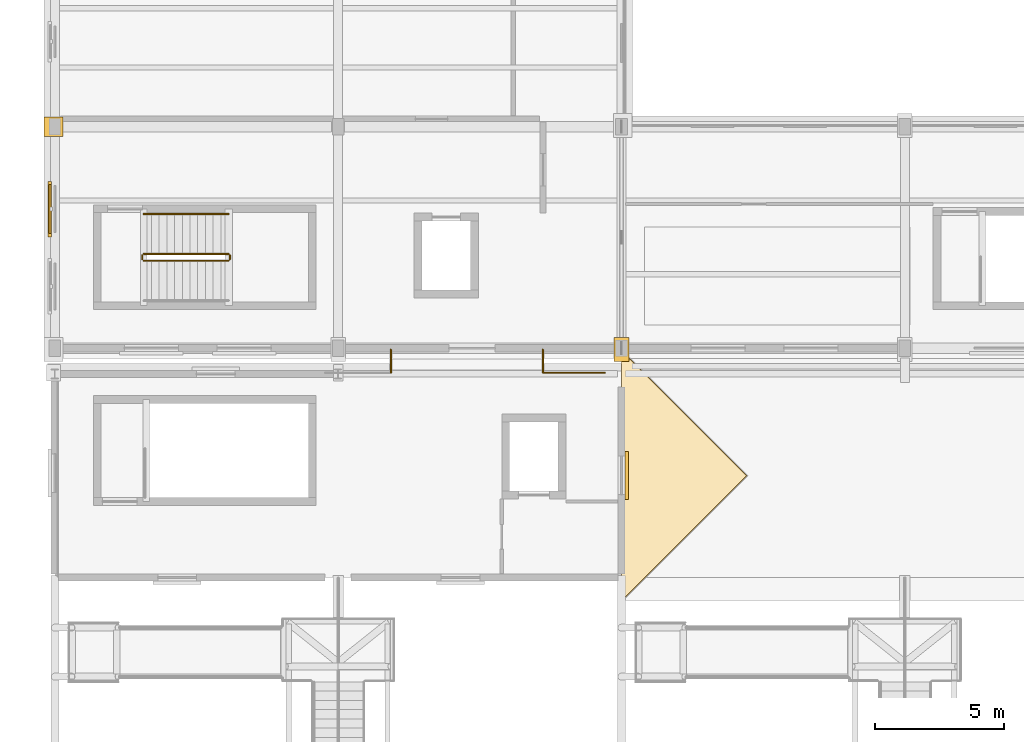
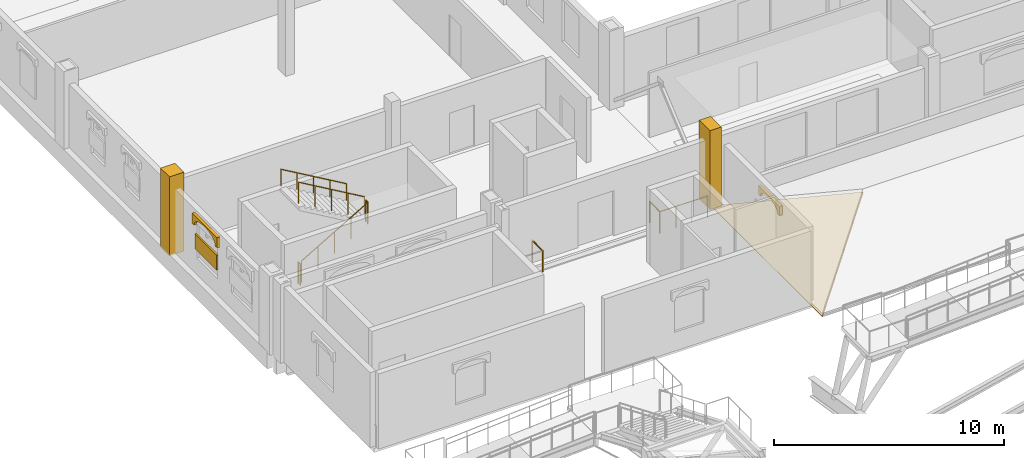
# One storey, part 35 of 43: 8 railings, 5 coverings, 1 shading device.
"""IFC4 building model written with IfcOpenShell, lengths in metres."""

from ifc_helpers import new_model, si_unit, direction, frame, origin, origin_2d, place, context, subcontext, project, spatial, polyline, rectangle, circle, outline, extrude, material, layer, layer_set, type_object, element, save


model = new_model("IFC4")

# Units and contexts
model_context = context("Model", 3, precision=1e-05, world=origin(), true_north=direction((0.0, 1.0)))
body_context = subcontext(model_context, "Body", "Model", "MODEL_VIEW")
ifc_project = project(units=[si_unit("LENGTHUNIT", "METRE"), si_unit("AREAUNIT", "SQUARE_METRE"), si_unit("VOLUMEUNIT", "CUBIC_METRE"), si_unit("PLANEANGLEUNIT", "RADIAN"), si_unit("MASSUNIT", "GRAM", prefix="KILO")], contexts=[model_context])

# Site, building, storey
site_placement = place(None, origin())
site = spatial("IfcSite", under=ifc_project, at=site_placement, CompositionType="ELEMENT")
building_placement = place(site_placement, origin())
building = spatial("IfcBuilding", under=site, at=building_placement, Name="Caurita Quay Ferry Terminal", CompositionType="ELEMENT")
storey_placement = place(building_placement, frame((0.0, 0.0, 14.10009765625)))
storey = spatial("IfcBuildingStorey", under=building, at=storey_placement, Name="L03", CompositionType="ELEMENT", Elevation=14.10009765625)

# Coverings
ifc_material_1 = material(Name="Warm-white lime stucco masonry", Category="masonry")
ifc_layer_1 = layer(ifc_material_1, 0.179931640625, Name="Classical engaged lime-stucco facade pilaster cladding 180 mm")
ifc_layer_set_1 = layer_set([ifc_layer_1], Name="Warm-white lime stucco masonry")
covering_type_1 = type_object("IfcCoveringType", Name="COV-PIL-CLD", PredefinedType="CLADDING", material=ifc_layer_set_1)
covering_1_placement = place(storey_placement, frame((-0.050048828125, 80.199951171875, 0.0), z_axis=(0.0, 0.0, 1.0), x_axis=(1.0, 0.0, 0.0)))
element("IfcCovering", 1, at=covering_1_placement, inside=storey, type_object=covering_type_1, Name="L03 Classical Engaged Pilaster 0274", PredefinedType="CLADDING", context=body_context, shape_type="SweptSolid", body=[
    extrude(rectangle(XDim=0.72998046875, YDim=0.77001953125, at=origin_2d()), origin(), (0.0, 0.0, 1.0), 4.199951171875),
])
covering_2_placement = place(storey_placement, frame((22.0, 71.550048828125, 0.0), z_axis=(0.0, 0.0, 1.0), x_axis=(1.0, 0.0, 0.0)))
element("IfcCovering", 2, at=covering_2_placement, inside=storey, type_object=covering_type_1, Name="L03 Classical Engaged Pilaster 0309", PredefinedType="CLADDING", context=body_context, shape_type="SweptSolid", body=[
    extrude(rectangle(XDim=0.570068359375, YDim=0.929931640625, at=origin_2d()), origin(), (0.0, 0.0, 1.0), 4.199951171875),
])
ifc_material_2 = material(Name="Terracotta clay barrel tile", Category="masonry")
ifc_layer_2 = layer(ifc_material_2, 0.06494140625, Name="Terracotta clay barrel-tile roofing course")
ifc_layer_set_2 = layer_set([ifc_layer_2], Name="Terracotta clay barrel tile")
covering_type_2 = type_object("IfcCoveringType", Name="COV-TEJA-ROOF", PredefinedType="ROOFING", material=ifc_layer_set_2)
covering_3_placement = place(storey_placement, frame((22.0, 71.5, -0.14013671875), z_axis=(-0.377954065566, 0.0, 0.925824348525), x_axis=(0.0, -1.0, 0.0)))
element("IfcCovering", 3, at=covering_3_placement, inside=storey, type_object=covering_type_2, Name="Terracotta Roof Timber Decking V1-SPN-W", PredefinedType="ROOFING", context=body_context, shape_type="SweptSolid", body=[
    extrude(outline(polyline([(0.0, 0.0), (9.699951171875, 0.0), (4.85009765625, 5.238680170786647), (0.0, 0.0)])), origin(), (0.0, 0.0, -1.0), 0.054931640625),
])
ifc_material_3 = material(Name="Coral stone ashlar cladding", Category="masonry")
ifc_layer_3 = layer(ifc_material_3, 0.139892578125, Name="Spanish Colonial semicircular arched window surround 140 mm")
ifc_layer_set_3 = layer_set([ifc_layer_3], Name="Coral stone ashlar cladding")
covering_type_3 = type_object("IfcCoveringType", Name="COV-WHD-MLD", PredefinedType="MOLDING", material=ifc_layer_set_3)
covering_4_placement = place(storey_placement, frame((-0.199951171875, 78.080078125, 2.72998046875), z_axis=(0.0, 0.0, 1.0), x_axis=(0.0, -1.0, 0.0)))
element("IfcCovering", 4, at=covering_4_placement, inside=storey, type_object=covering_type_3, Name="L03 Arched Window Surround 046", PredefinedType="MOLDING", context=body_context, shape_type="SweptSolid", body=[
    extrude(outline(polyline([(0.0, 0.0), (0.159912109375, 0.0), (0.159912109375, 0.0400390625), (0.205078125, 0.1728515625), (0.335693359375, 0.292724609375), (0.539306640625, 0.387939453125), (0.795654296875, 0.448974609375), (1.080078125, 0.469970703125), (1.364501953125, 0.448974609375), (1.620849609375, 0.387939453125), (1.824462890625, 0.292724609375), (1.955078125, 0.1728515625), (2.000244140625, 0.0400390625), (2.000244140625, 0.0), (2.16015625, 0.0), (2.16015625, 0.5498046875), (0.0, 0.5498046875), (0.0, 0.0)])), frame((0.0, 0.06982421875, 0.0), z_axis=(0.0, -1.0, 0.0), x_axis=(1.0, 0.0, 0.0)), (0.0, 0.0, 1.0), 0.139892578125),
])
covering_5_placement = place(storey_placement, frame((22.199951171875, 65.735107421875, 2.77978515625), z_axis=(0.0, 0.0, 1.0), x_axis=(0.0, 1.0, 0.0)))
element("IfcCovering", 5, at=covering_5_placement, inside=storey, type_object=covering_type_3, Name="L03 Arched Window Surround 183", PredefinedType="MOLDING", context=body_context, shape_type="SweptSolid", body=[
    extrude(outline(polyline([(0.0, 0.0), (0.159912109375, 0.0), (0.159912109375, 0.0400390625), (0.19775390625, 0.1513671875), (0.30712890625, 0.251708984375), (0.477294921875, 0.331298828125), (0.69189453125, 0.38232421875), (0.929931640625, 0.39990234375), (1.16796875, 0.38232421875), (1.382568359375, 0.331298828125), (1.552734375, 0.251708984375), (1.662109375, 0.1513671875), (1.699951171875, 0.0400390625), (1.699951171875, 0.0), (1.85986328125, 0.0), (1.85986328125, 0.480224609375), (0.0, 0.480224609375), (0.0, 0.0)])), frame((0.0, 0.06982421875, 0.0), z_axis=(0.0, -1.0, 0.0), x_axis=(1.0, 0.0, 0.0)), (0.0, 0.0, 1.0), 0.139892578125),
])

# Railings
ifc_material_4 = material(Name="Bronze architectural metalwork", Category="metal")
railing_type_1 = type_object("IfcRailingType", Name="RL-HND-090", PredefinedType="HANDRAIL", material=ifc_material_4)
railing_1_placement = place(storey_placement, frame((6.75, 76.81005859375, 2.27490234375)))
element("IfcRailing", 6, at=railing_1_placement, inside=storey, type_object=railing_type_1, Name="L03 ST-02 stair handrail 2", PredefinedType="HANDRAIL", context=body_context, shape_type="SweptSolid", body=[
    extrude(circle(Radius=0.02392578125, at=origin_2d()), frame((0.0, 0.0, 0.8759765625), z_axis=(-0.863776583165, 0.0, 0.503874998761), x_axis=(0.0, -1.0, 0.0)), (0.0, 0.0, 1.0), 3.820556640625),
    extrude(circle(Radius=0.02099609375, at=origin_2d()), origin(), (0.0, 0.0, 1.0), 0.851806640625),
    extrude(circle(Radius=0.02099609375, at=origin_2d()), frame((-0.824951171875, 0.0, 0.481201171875)), (0.0, 0.0, 1.0), 0.851806640625),
    extrude(circle(Radius=0.02099609375, at=origin_2d()), frame((-1.64990234375, 0.0, 0.96240234375)), (0.0, 0.0, 1.0), 0.851806640625),
    extrude(circle(Radius=0.02099609375, at=origin_2d()), frame((-2.47509765625, 0.0, 1.44384765625)), (0.0, 0.0, 1.0), 0.851806640625),
    extrude(circle(Radius=0.02099609375, at=origin_2d()), frame((-3.300048828125, 0.0, 1.925048828125)), (0.0, 0.0, 1.0), 0.851806640625),
])
railing_type_2 = type_object("IfcRailingType", Name="RL-REJA-115", PredefinedType="BALUSTRADE", material=ifc_material_4)
railing_2_placement = place(storey_placement, frame((13.050048828125, 70.64990234375, 0.0)))
element("IfcRailing", 7, at=railing_2_placement, inside=storey, type_object=railing_type_2, Name="L03 North West Link Bridge West Guard (058)", PredefinedType="BALUSTRADE", context=body_context, shape_type="SweptSolid", body=[
    extrude(circle(Radius=0.02392578125, at=origin_2d()), frame((0.0, 0.0, 1.1259765625), z_axis=(0.0, 1.0, 0.0), x_axis=(-1.0, 0.0, 0.0)), (0.0, 0.0, 1.0), 0.900146484375),
    extrude(circle(Radius=0.02099609375, at=origin_2d()), origin(), (0.0, 0.0, 1.0), 1.101806640625),
    extrude(circle(Radius=0.02099609375, at=origin_2d()), frame((0.0, 0.900146484375, 0.0)), (0.0, 0.0, 1.0), 1.101806640625),
])
railing_3_placement = place(storey_placement, frame((18.949951171875, 71.550048828125, 0.0)))
element("IfcRailing", 8, at=railing_3_placement, inside=storey, type_object=railing_type_2, Name="L03 North West Link Bridge East Guard (059)", PredefinedType="BALUSTRADE", context=body_context, shape_type="SweptSolid", body=[
    extrude(circle(Radius=0.02392578125, at=origin_2d()), frame((0.0, 0.0, 1.1259765625), z_axis=(0.0, -1.0, 0.0), x_axis=(1.0, 0.0, 0.0)), (0.0, 0.0, 1.0), 0.900146484375),
    extrude(circle(Radius=0.02099609375, at=origin_2d()), origin(), (0.0, 0.0, 1.0), 1.101806640625),
    extrude(circle(Radius=0.02099609375, at=origin_2d()), frame((0.0, -0.900146484375, 0.0)), (0.0, 0.0, 1.0), 1.101806640625),
])
railing_4_placement = place(storey_placement, frame((18.949951171875, 70.64990234375, 0.0)))
element("IfcRailing", 9, at=railing_4_placement, inside=storey, type_object=railing_type_2, Name="L03 North West Link Bridge East Guard (060)", PredefinedType="BALUSTRADE", context=body_context, shape_type="SweptSolid", body=[
    extrude(circle(Radius=0.02392578125, at=origin_2d()), frame((0.0, 0.0, 1.1259765625), z_axis=(1.0, 0.0, 0.0), x_axis=(0.0, 1.0, 0.0)), (0.0, 0.0, 1.0), 2.400146484375),
    extrude(circle(Radius=0.02099609375, at=origin_2d()), origin(), (0.0, 0.0, 1.0), 1.101806640625),
    extrude(circle(Radius=0.02099609375, at=origin_2d()), frame((0.800048828125, 0.0, 0.0)), (0.0, 0.0, 1.0), 1.101806640625),
    extrude(circle(Radius=0.02099609375, at=origin_2d()), frame((1.60009765625, 0.0, 0.0)), (0.0, 0.0, 1.0), 1.101806640625),
    extrude(circle(Radius=0.02099609375, at=origin_2d()), frame((2.400146484375, 0.0, 0.0)), (0.0, 0.0, 1.0), 1.101806640625),
])
railing_5_placement = place(storey_placement, frame((3.449951171875, 75.0, 0.1748046875)))
element("IfcRailing", 10, at=railing_5_placement, inside=storey, type_object=railing_type_2, Name="L03 ST-02 stair guard 1", PredefinedType="BALUSTRADE", context=body_context, shape_type="SweptSolid", body=[
    extrude(circle(Radius=0.02392578125, at=origin_2d()), frame((0.0, 0.0, 1.1259765625), z_axis=(0.863776583165, 0.0, 0.503874998761), x_axis=(0.0, 1.0, 0.0)), (0.0, 0.0, 1.0), 3.820556640625),
    extrude(circle(Radius=0.02099609375, at=origin_2d()), origin(), (0.0, 0.0, 1.0), 1.101806640625),
    extrude(circle(Radius=0.02099609375, at=origin_2d()), frame((0.824951171875, 0.0, 0.481201171875)), (0.0, 0.0, 1.0), 1.101806640625),
    extrude(circle(Radius=0.02099609375, at=origin_2d()), frame((1.64990234375, 0.0, 0.96240234375)), (0.0, 0.0, 1.0), 1.101806640625),
    extrude(circle(Radius=0.02099609375, at=origin_2d()), frame((2.47509765625, 0.0, 1.44384765625)), (0.0, 0.0, 1.0), 1.101806640625),
    extrude(circle(Radius=0.02099609375, at=origin_2d()), frame((3.300048828125, 0.0, 1.925048828125)), (0.0, 0.0, 1.0), 1.101806640625),
])
railing_6_placement = place(storey_placement, frame((6.800048828125, 75.050048828125, 2.099853515625)))
element("IfcRailing", 11, at=railing_6_placement, inside=storey, type_object=railing_type_2, Name="L03 ST-02 stair guard 2", PredefinedType="BALUSTRADE", context=body_context, shape_type="SweptSolid", body=[
    extrude(circle(Radius=0.02392578125, at=origin_2d()), frame((0.0, 0.0, 1.1259765625), z_axis=(0.0, 1.0, 0.0), x_axis=(-1.0, 0.0, 0.0)), (0.0, 0.0, 1.0), 0.159912109375),
    extrude(circle(Radius=0.02099609375, at=origin_2d()), origin(), (0.0, 0.0, 1.0), 1.101806640625),
    extrude(circle(Radius=0.02099609375, at=origin_2d()), frame((0.0, 0.159912109375, 0.0)), (0.0, 0.0, 1.0), 1.101806640625),
])
railing_7_placement = place(storey_placement, frame((6.75, 75.260009765625, 2.27490234375)))
element("IfcRailing", 12, at=railing_7_placement, inside=storey, type_object=railing_type_2, Name="L03 ST-02 stair guard 3", PredefinedType="BALUSTRADE", context=body_context, shape_type="SweptSolid", body=[
    extrude(circle(Radius=0.02392578125, at=origin_2d()), frame((0.0, 0.0, 1.1259765625), z_axis=(-0.863776583165, 0.0, 0.503874998761), x_axis=(0.0, -1.0, 0.0)), (0.0, 0.0, 1.0), 3.820556640625),
    extrude(circle(Radius=0.02099609375, at=origin_2d()), origin(), (0.0, 0.0, 1.0), 1.101806640625),
    extrude(circle(Radius=0.02099609375, at=origin_2d()), frame((-0.824951171875, 0.0, 0.481201171875)), (0.0, 0.0, 1.0), 1.101806640625),
    extrude(circle(Radius=0.02099609375, at=origin_2d()), frame((-1.64990234375, 0.0, 0.96240234375)), (0.0, 0.0, 1.0), 1.101806640625),
    extrude(circle(Radius=0.02099609375, at=origin_2d()), frame((-2.47509765625, 0.0, 1.44384765625)), (0.0, 0.0, 1.0), 1.101806640625),
    extrude(circle(Radius=0.02099609375, at=origin_2d()), frame((-3.300048828125, 0.0, 1.925048828125)), (0.0, 0.0, 1.0), 1.101806640625),
])
railing_8_placement = place(storey_placement, frame((3.39990234375, 75.050048828125, 0.0)))
element("IfcRailing", 13, at=railing_8_placement, inside=storey, type_object=railing_type_2, Name="L03 ST-02 stair guard 4", PredefinedType="BALUSTRADE", context=body_context, shape_type="SweptSolid", body=[
    extrude(circle(Radius=0.02392578125, at=origin_2d()), frame((0.0, 0.0, 1.1259765625), z_axis=(0.0, 1.0, 0.0), x_axis=(-1.0, 0.0, 0.0)), (0.0, 0.0, 1.0), 0.159912109375),
    extrude(circle(Radius=0.02099609375, at=origin_2d()), origin(), (0.0, 0.0, 1.0), 1.101806640625),
    extrude(circle(Radius=0.02099609375, at=origin_2d()), frame((0.0, 0.159912109375, 0.0)), (0.0, 0.0, 1.0), 1.101806640625),
])

# Shading device
shading_device_type = type_object("IfcShadingDeviceType", Name="SHD-JAL-01", PredefinedType="JALOUSIE", material=ifc_material_4)
shading_device_placement = place(storey_placement, frame((-0.177978515625, 77.0, 1.44482421875), z_axis=(0.0, 0.0, 1.0), x_axis=(0.0, -1.0, 0.0)))
element("IfcShadingDevice", 14, at=shading_device_placement, inside=storey, type_object=shading_device_type, Name="L03 Tropical Window Sun-Breaker 051", PredefinedType="JALOUSIE", context=body_context, shape_type="SweptSolid", body=[
    extrude(rectangle(XDim=1.89990234375, YDim=0.080078125, at=origin_2d()), origin(), (0.0, 0.0, 1.0), 0.81005859375),
])

save(model, "model.ifc")
